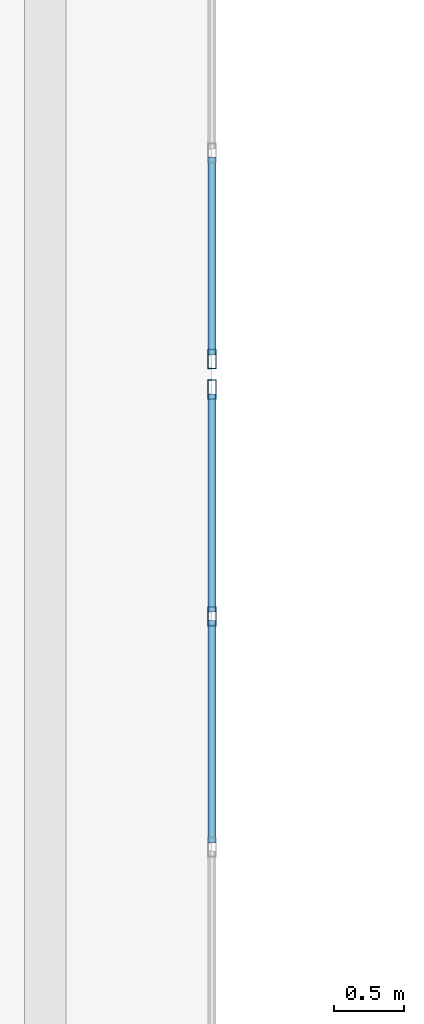
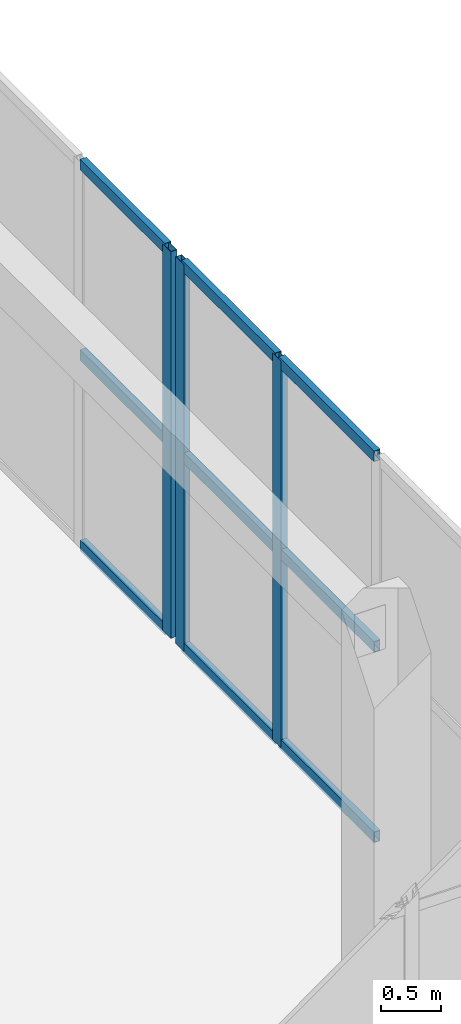
# One storey, part 29 of 81: 12 members, 2 elements without a shape of their own.
"""IFC4 building model written with IfcOpenShell, lengths in metres."""

from ifc_helpers import new_model, si_unit, direction, frame, origin, origin_2d, place, context, subcontext, project, spatial, hollow_rectangle, extrude, material, layer, layer_set, material_profile, profile_set, type_object, element, aggregate, save


model = new_model("IFC4")

# Units and contexts
model_context = context("Model", 3, precision=1e-05, world=origin(), true_north=direction((0.0, 1.0)))
body_context = subcontext(model_context, "Body", "Model", "MODEL_VIEW")
ifc_project = project(units=[si_unit("LENGTHUNIT", "METRE"), si_unit("AREAUNIT", "SQUARE_METRE"), si_unit("VOLUMEUNIT", "CUBIC_METRE"), si_unit("PLANEANGLEUNIT", "RADIAN"), si_unit("MASSUNIT", "GRAM", prefix="KILO")], contexts=[model_context])

# Site, building, storey
site_placement = place(None, origin())
site = spatial("IfcSite", under=ifc_project, at=site_placement, CompositionType="ELEMENT")
building_placement = place(site_placement, origin())
building = spatial("IfcBuilding", under=site, at=building_placement, Name="Trelvath General Hospital", CompositionType="ELEMENT")
storey_placement = place(building_placement, frame((0.0, 0.0, 24.60009765625)))
storey = spatial("IfcBuildingStorey", under=building, at=storey_placement, Name="L06", CompositionType="ELEMENT", Elevation=24.60009765625)

# Curtain wall, members
ifc_material_1 = material(Name="Anodised aluminium and low-E glass", Category="aluminium")
ifc_layer_1 = layer(ifc_material_1, 0.139892578125)
ifc_layer_set_1 = layer_set([ifc_layer_1], Name="Anodised aluminium and low-E glass")
curtain_wall_type_1 = type_object("IfcCurtainWallType", Name="CW CrystalCube 664 396 14", PredefinedType="USERDEFINED", material=ifc_layer_set_1)
curtain_wall_1_placement = place(storey_placement, origin())
curtain_wall_1 = element("IfcCurtainWall", 1, at=curtain_wall_1_placement, inside=storey, type_object=curtain_wall_type_1, Name="Crystal Cube Curtain Wall CUBE-E-T2 E1 L06", ObjectType="Unitised Glazed Curtain Wall", PredefinedType="USERDEFINED")
ifc_material_2 = material(Name="Anodised aluminium", Category="aluminium")
ifc_material_profile_1 = material_profile(ifc_material_2, hollow_rectangle(XDim=0.06005859375, YDim=0.139892578125, WallThickness=0.00390625, at=origin_2d()), Name="RHS60x140x4")
ifc_profile_set_1 = profile_set([ifc_material_profile_1], Name="Anodised aluminium")
member_type_1 = type_object("IfcMemberType", Name="CurtainMullion 60x140", PredefinedType="MULLION", material=ifc_profile_set_1)
member_1_placement = place(storey_placement, frame((108.39990234375, 50.2900390625, 0.0), z_axis=(0.0, 0.0, 1.0), x_axis=(1.0, 0.0, 0.0)))
member_1 = element("IfcMember", 2, at=member_1_placement, type_object=member_type_1, Name="CW-336 mullion 1", PredefinedType="MULLION", context=body_context, shape_type="SweptSolid", body=[
    extrude(hollow_rectangle(XDim=0.06005859375, YDim=0.139892578125, WallThickness=0.00390625, at=origin_2d()), origin(), (0.0, 0.0, 1.0), 3.9599609375),
])
member_2_placement = place(storey_placement, frame((108.39990234375, 48.659912109375, 0.0), z_axis=(0.0, 0.0, 1.0), x_axis=(1.0, 0.0, 0.0)))
member_2 = element("IfcMember", 3, at=member_2_placement, type_object=member_type_1, Name="CW-336 mullion 2", PredefinedType="MULLION", context=body_context, shape_type="SweptSolid", body=[
    extrude(hollow_rectangle(XDim=0.06005859375, YDim=0.139892578125, WallThickness=0.00390625, at=origin_2d()), origin(), (0.0, 0.0, 1.0), 3.9599609375),
])

# Curtain wall, member
ifc_material_3 = material(Name="Anodised aluminium and low-E glass", Category="aluminium")
ifc_layer_2 = layer(ifc_material_3, 0.139892578125)
ifc_layer_set_2 = layer_set([ifc_layer_2], Name="Anodised aluminium and low-E glass")
curtain_wall_type_2 = type_object("IfcCurtainWallType", Name="CW CrystalCube 1664 396 14", PredefinedType="USERDEFINED", material=ifc_layer_set_2)
curtain_wall_2_placement = place(storey_placement, origin())
curtain_wall_2 = element("IfcCurtainWall", 4, at=curtain_wall_2_placement, inside=storey, type_object=curtain_wall_type_2, Name="Crystal Cube Curtain Wall CUBE-E-T2 E2 L06", ObjectType="Unitised Glazed Curtain Wall", PredefinedType="USERDEFINED")
member_3_placement = place(storey_placement, frame((108.39990234375, 50.510009765625, 0.0), z_axis=(0.0, 0.0, 1.0), x_axis=(1.0, 0.0, 0.0)))
member_3 = element("IfcMember", 5, at=member_3_placement, type_object=member_type_1, Name="CW-337 mullion 12", PredefinedType="MULLION", context=body_context, shape_type="SweptSolid", body=[
    extrude(hollow_rectangle(XDim=0.06005859375, YDim=0.139892578125, WallThickness=0.00390625, at=origin_2d()), origin(), (0.0, 0.0, 1.0), 3.9599609375),
])

# Member
ifc_material_4 = material(Name="Anodised aluminium", Category="aluminium")
ifc_material_profile_2 = material_profile(ifc_material_4, hollow_rectangle(XDim=0.06005859375, YDim=0.110107421875, WallThickness=0.00390625, at=origin_2d()), Name="RHS60x110x4")
ifc_profile_set_2 = profile_set([ifc_material_profile_2], Name="Anodised aluminium")
member_type_2 = type_object("IfcMemberType", Name="CurtainTransom 60x110", PredefinedType="USERDEFINED", material=ifc_profile_set_2)
member_4_placement = place(storey_placement, frame((108.39990234375, 50.260009765625, 0.02978515625), z_axis=(0.0, -1.0, 0.0), x_axis=(1.0, 0.0, 0.0)))
member_4 = element("IfcMember", 6, at=member_4_placement, type_object=member_type_2, Name="CW-336 transom 1.1", ObjectType="TRANSOM", PredefinedType="USERDEFINED", context=body_context, shape_type="SweptSolid", body=[
    extrude(hollow_rectangle(XDim=0.06005859375, YDim=0.110107421875, WallThickness=0.00390625, at=origin_2d()), origin(), (0.0, 0.0, 1.0), 1.570068359375),
])

member_5_placement = place(storey_placement, frame((108.39990234375, 50.260009765625, 1.97998046875), z_axis=(0.0, -1.0, 0.0), x_axis=(1.0, 0.0, 0.0)))
member_5 = element("IfcMember", 7, at=member_5_placement, type_object=member_type_2, Name="CW-336 transom 1.2", ObjectType="TRANSOM", PredefinedType="USERDEFINED", context=body_context, shape_type="SweptSolid", body=[
    extrude(hollow_rectangle(XDim=0.06005859375, YDim=0.110107421875, WallThickness=0.00390625, at=origin_2d()), origin(), (0.0, 0.0, 1.0), 1.570068359375),
])

member_6_placement = place(storey_placement, frame((108.39990234375, 50.260009765625, 3.929931640625), z_axis=(0.0, -1.0, 0.0), x_axis=(1.0, 0.0, 0.0)))
member_6 = element("IfcMember", 8, at=member_6_placement, type_object=member_type_2, Name="CW-336 transom 1.3", ObjectType="TRANSOM", PredefinedType="USERDEFINED", context=body_context, shape_type="SweptSolid", body=[
    extrude(hollow_rectangle(XDim=0.06005859375, YDim=0.110107421875, WallThickness=0.00390625, at=origin_2d()), origin(), (0.0, 0.0, 1.0), 1.570068359375),
])

member_7_placement = place(storey_placement, frame((108.39990234375, 48.6298828125, 0.02978515625), z_axis=(0.0, -1.0, 0.0), x_axis=(1.0, 0.0, 0.0)))
member_7 = element("IfcMember", 9, at=member_7_placement, type_object=member_type_2, Name="CW-336 transom 2.1", ObjectType="TRANSOM", PredefinedType="USERDEFINED", context=body_context, shape_type="SweptSolid", body=[
    extrude(hollow_rectangle(XDim=0.06005859375, YDim=0.110107421875, WallThickness=0.00390625, at=origin_2d()), origin(), (0.0, 0.0, 1.0), 1.599853515625),
])

member_8_placement = place(storey_placement, frame((108.39990234375, 48.6298828125, 1.97998046875), z_axis=(0.0, -1.0, 0.0), x_axis=(1.0, 0.0, 0.0)))
member_8 = element("IfcMember", 10, at=member_8_placement, type_object=member_type_2, Name="CW-336 transom 2.2", ObjectType="TRANSOM", PredefinedType="USERDEFINED", context=body_context, shape_type="SweptSolid", body=[
    extrude(hollow_rectangle(XDim=0.06005859375, YDim=0.110107421875, WallThickness=0.00390625, at=origin_2d()), origin(), (0.0, 0.0, 1.0), 1.599853515625),
])

member_9_placement = place(storey_placement, frame((108.39990234375, 48.6298828125, 3.929931640625), z_axis=(0.0, -1.0, 0.0), x_axis=(1.0, 0.0, 0.0)))
member_9 = element("IfcMember", 11, at=member_9_placement, type_object=member_type_2, Name="CW-336 transom 2.3", ObjectType="TRANSOM", PredefinedType="USERDEFINED", context=body_context, shape_type="SweptSolid", body=[
    extrude(hollow_rectangle(XDim=0.06005859375, YDim=0.110107421875, WallThickness=0.00390625, at=origin_2d()), origin(), (0.0, 0.0, 1.0), 1.599853515625),
])

aggregate(curtain_wall_1, [member_1, member_2, member_4, member_5, member_6, member_7, member_8, member_9])

member_10_placement = place(storey_placement, frame((108.39990234375, 51.962646484375, 0.02978515625), z_axis=(0.0, -1.0, 0.0), x_axis=(1.0, 0.0, 0.0)))
member_10 = element("IfcMember", 12, at=member_10_placement, type_object=member_type_2, Name="CW-337 transom 11.1", ObjectType="TRANSOM", PredefinedType="USERDEFINED", context=body_context, shape_type="SweptSolid", body=[
    extrude(hollow_rectangle(XDim=0.06005859375, YDim=0.110107421875, WallThickness=0.00390625, at=origin_2d()), origin(), (0.0, 0.0, 1.0), 1.422607421875),
])

member_11_placement = place(storey_placement, frame((108.39990234375, 51.962646484375, 1.97998046875), z_axis=(0.0, -1.0, 0.0), x_axis=(1.0, 0.0, 0.0)))
member_11 = element("IfcMember", 13, at=member_11_placement, type_object=member_type_2, Name="CW-337 transom 11.2", ObjectType="TRANSOM", PredefinedType="USERDEFINED", context=body_context, shape_type="SweptSolid", body=[
    extrude(hollow_rectangle(XDim=0.06005859375, YDim=0.110107421875, WallThickness=0.00390625, at=origin_2d()), origin(), (0.0, 0.0, 1.0), 1.422607421875),
])

member_12_placement = place(storey_placement, frame((108.39990234375, 51.962646484375, 3.929931640625), z_axis=(0.0, -1.0, 0.0), x_axis=(1.0, 0.0, 0.0)))
member_12 = element("IfcMember", 14, at=member_12_placement, type_object=member_type_2, Name="CW-337 transom 11.3", ObjectType="TRANSOM", PredefinedType="USERDEFINED", context=body_context, shape_type="SweptSolid", body=[
    extrude(hollow_rectangle(XDim=0.06005859375, YDim=0.110107421875, WallThickness=0.00390625, at=origin_2d()), origin(), (0.0, 0.0, 1.0), 1.422607421875),
])

aggregate(curtain_wall_2, [member_3, member_10, member_11, member_12])

save(model, "model.ifc")
